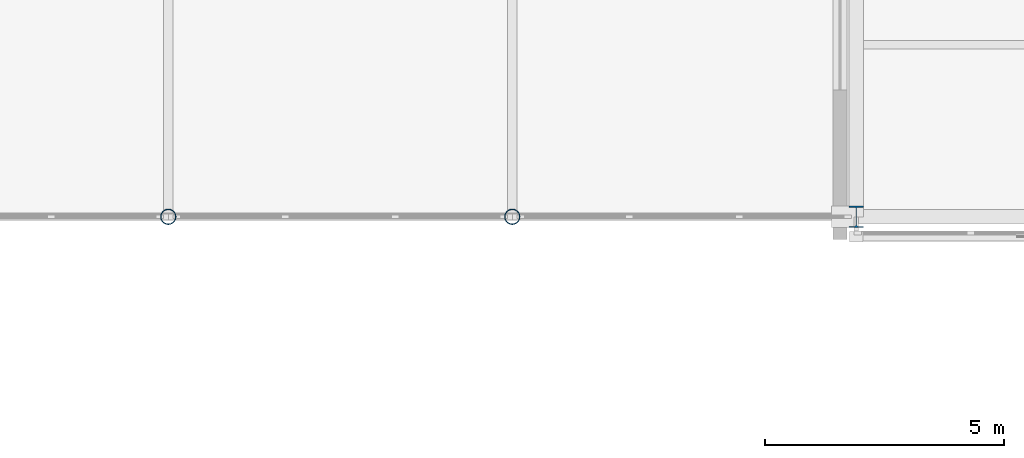
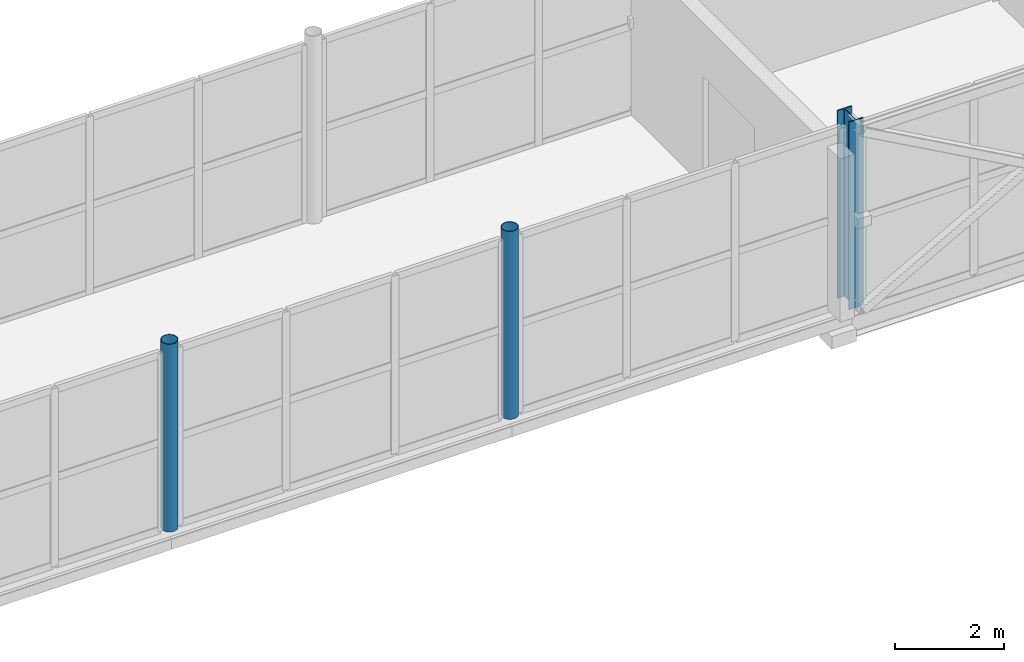
# One storey, part 13 of 146: 3 columns.
"""IFC4 building model written with IfcOpenShell, lengths in metres."""

from ifc_helpers import new_model, si_unit, direction, frame, origin, origin_2d, place, context, subcontext, project, spatial, hollow_circle, i_section, extrude, material, material_profile, profile_set, type_object, element, save


model = new_model("IFC4")

# Units and contexts
model_context = context("Model", 3, precision=1e-05, world=origin(), true_north=direction((0.0, 1.0)))
body_context = subcontext(model_context, "Body", "Model", "MODEL_VIEW")
ifc_project = project(units=[si_unit("LENGTHUNIT", "METRE"), si_unit("AREAUNIT", "SQUARE_METRE"), si_unit("VOLUMEUNIT", "CUBIC_METRE"), si_unit("PLANEANGLEUNIT", "RADIAN"), si_unit("MASSUNIT", "GRAM", prefix="KILO")], contexts=[model_context])

# Site, building, storey
site_placement = place(None, origin())
site = spatial("IfcSite", under=ifc_project, at=site_placement, CompositionType="ELEMENT")
building_placement = place(site_placement, origin())
building = spatial("IfcBuilding", under=site, at=building_placement, Name="Zlatovets Crest Museum", CompositionType="ELEMENT")
storey_placement = place(building_placement, frame((0.0, 0.0, 4.5)))
storey = spatial("IfcBuildingStorey", under=building, at=storey_placement, Name="L01", CompositionType="ELEMENT", Elevation=4.5)

# Columns
ifc_material = material(Name="Structural steel S355J2", Category="steel")
ifc_material_profile_1 = material_profile(ifc_material, i_section(OverallWidth=0.300048828125, OverallDepth=0.449951171875, WebThickness=0.013916015625, FlangeThickness=0.02587890625, FilletRadius=0.027099609375, at=origin_2d()), Name="HEB 450")
ifc_profile_set_1 = profile_set([ifc_material_profile_1], Name="Structural steel S355J2")
column_type_1 = type_object("IfcColumnType", Name="Col_C-06", PredefinedType="COLUMN", material=ifc_profile_set_1)
column_placement = place(storey_placement, frame((57.60009765625, 86.39990234375, 0.0), z_axis=(0.0, 0.0, 1.0), x_axis=(1.0, 0.0, 0.0)))
element("IfcColumn", 1, at=column_placement, inside=storey, type_object=column_type_1, Name="V1 L01 Column (57.6, 86.4)", PredefinedType="COLUMN", context=body_context, shape_type="SweptSolid", body=[
    extrude(i_section(OverallWidth=0.300048828125, OverallDepth=0.449951171875, WebThickness=0.013916015625, FlangeThickness=0.02587890625, FilletRadius=0.027099609375, at=origin_2d()), origin(), (0.0, 0.0, 1.0), 4.199951171875),
])
ifc_material_profile_2 = material_profile(ifc_material, hollow_circle(Radius=0.161865234375, WallThickness=0.012451171875, at=origin_2d()), Name="CHS 323.9x12.5")
ifc_profile_set_2 = profile_set([ifc_material_profile_2], Name="Structural steel S355J2")
column_type_2 = type_object("IfcColumnType", Name="Col_C-13", PredefinedType="COLUMN", material=ifc_profile_set_2)
for number, where, z_axis, x_axis, name in (
    (2, (43.199951171875, 86.39990234375, 0.0), (0.0, 0.0, 1.0), (1.0, 0.0, 0.0), "Northwest Crest Glazed Link Bridge Portal Column"),
    (3, (50.39990234375, 86.39990234375, 0.0), (0.0, 0.0, 1.0), (1.0, 0.0, 0.0), "Northwest Crest Glazed Link Bridge Portal Column"),
):
    element("IfcColumn", number, at=place(storey_placement, frame(where, z_axis=z_axis, x_axis=x_axis)), inside=storey, type_object=column_type_2, Name=name, PredefinedType="COLUMN", context=body_context, shape_type="SweptSolid", body=[
        extrude(hollow_circle(Radius=0.161865234375, WallThickness=0.012451171875, at=origin_2d()), origin(), (0.0, 0.0, 1.0), 4.199951171875),
    ])

save(model, "model.ifc")
